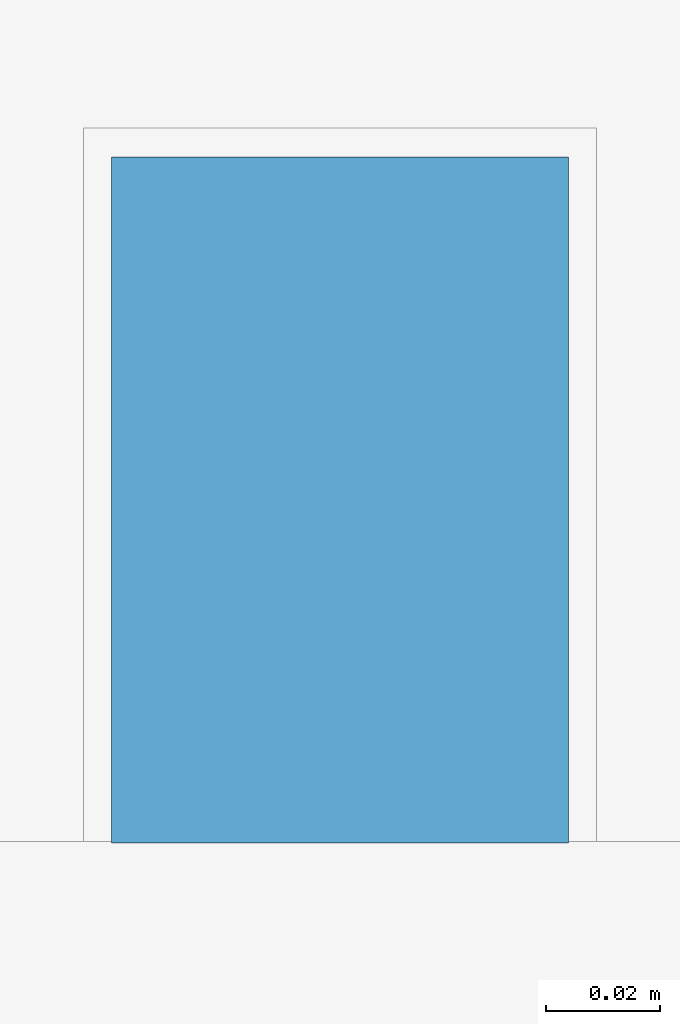
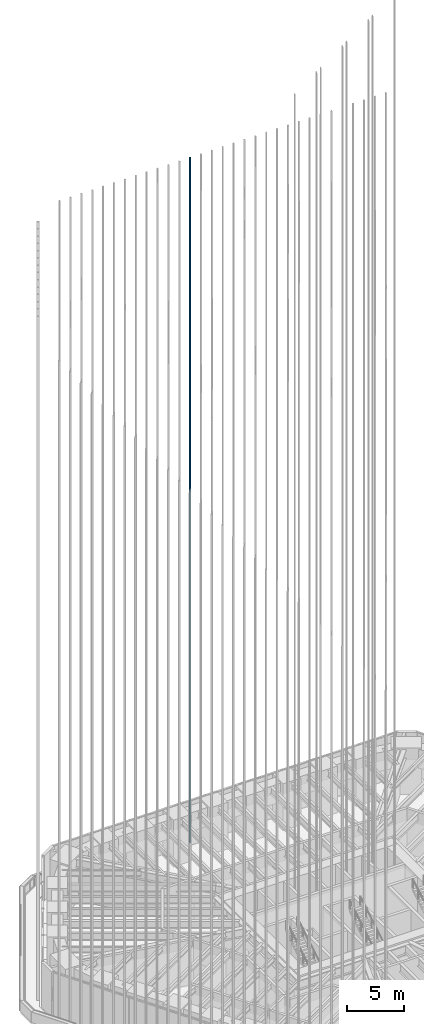
# One storey, part 170 of 228: 1 member, 1 element without a shape of its own.
"""IFC4 building model written with IfcOpenShell, lengths in metres."""

from ifc_helpers import new_model, si_unit, direction, frame, origin, origin_2d, place, context, subcontext, project, spatial, rectangle, extrude, material, material_profile, profile_set, type_object, element, aggregate, save


model = new_model("IFC4")

# Units and contexts
model_context = context("Model", 3, precision=1e-05, world=origin(), true_north=direction((0.0, 1.0)))
body_context = subcontext(model_context, "Body", "Model", "MODEL_VIEW")
ifc_project = project(units=[si_unit("LENGTHUNIT", "METRE"), si_unit("AREAUNIT", "SQUARE_METRE"), si_unit("VOLUMEUNIT", "CUBIC_METRE"), si_unit("PLANEANGLEUNIT", "RADIAN"), si_unit("MASSUNIT", "GRAM", prefix="KILO")], contexts=[model_context])

# Site, building, storey
site_placement = place(None, origin())
site = spatial("IfcSite", under=ifc_project, at=site_placement, CompositionType="ELEMENT")
building_placement = place(site_placement, origin())
building = spatial("IfcBuilding", under=site, at=building_placement, Name="Sandreach Pilgrim Tower", CompositionType="ELEMENT")
storey_placement = place(building_placement, frame((0.0, 0.0, 178.199951171875)))
storey = spatial("IfcBuildingStorey", under=building, at=storey_placement, Name="L44", CompositionType="ELEMENT", Elevation=178.199951171875)

# Curtain wall, member
ifc_material_1 = material(Name="Aluminium framed curtain wall", Category="aluminium")
curtain_wall_type = type_object("IfcCurtainWallType", Name="Upper hotel tower curtain wall", PredefinedType="NOTDEFINED", material=ifc_material_1)
curtain_wall_placement = place(storey_placement, origin())
curtain_wall = element("IfcCurtainWall", 1, at=curtain_wall_placement, inside=storey, type_object=curtain_wall_type, Name="CW-3 L44 N", PredefinedType="NOTDEFINED")
ifc_material_2 = material(Name="Extruded terracotta on aluminium core", Category="masonry")
ifc_material_profile = material_profile(ifc_material_2, rectangle(XDim=0.080078125, YDim=0.1201171875, at=origin_2d()), Name="TBN 80X120")
ifc_profile_set = profile_set([ifc_material_profile], Name="Extruded terracotta on aluminium core")
member_type = type_object("IfcMemberType", Name="Terracotta baguette north", PredefinedType="USERDEFINED", material=ifc_profile_set)
member_placement = place(storey_placement, frame((-3.299560546875, 21.52001953125, 0.0), z_axis=(0.0, 0.0, 1.0), x_axis=(1.0, 0.0, 0.0)))
member = element("IfcMember", 2, at=member_placement, type_object=member_type, Name="Baguette Z3 N13", ObjectType="BAGUETTE", PredefinedType="USERDEFINED", context=body_context, shape_type="SweptSolid", body=[
    extrude(rectangle(XDim=0.080078125, YDim=0.1201171875, at=origin_2d()), origin(), (0.0, 0.0, 1.0), 73.239990234375),
])
aggregate(curtain_wall, [member])

save(model, "model.ifc")
